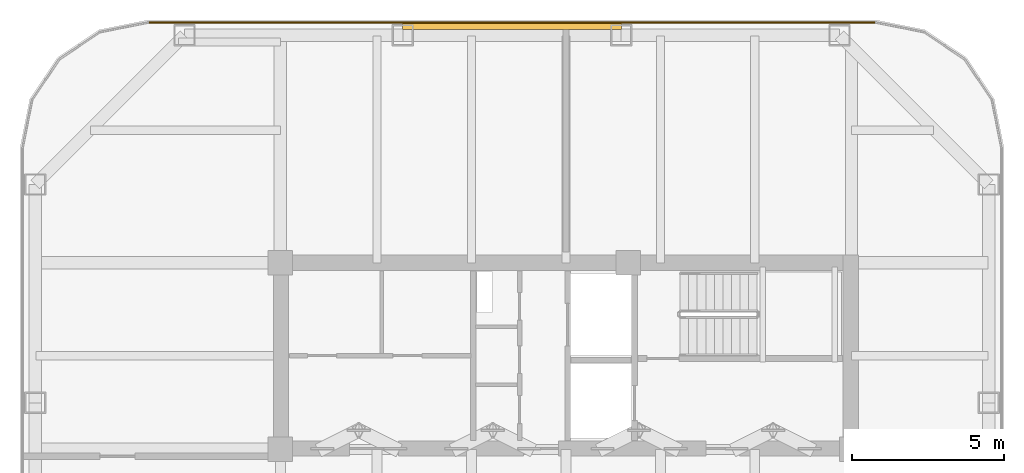
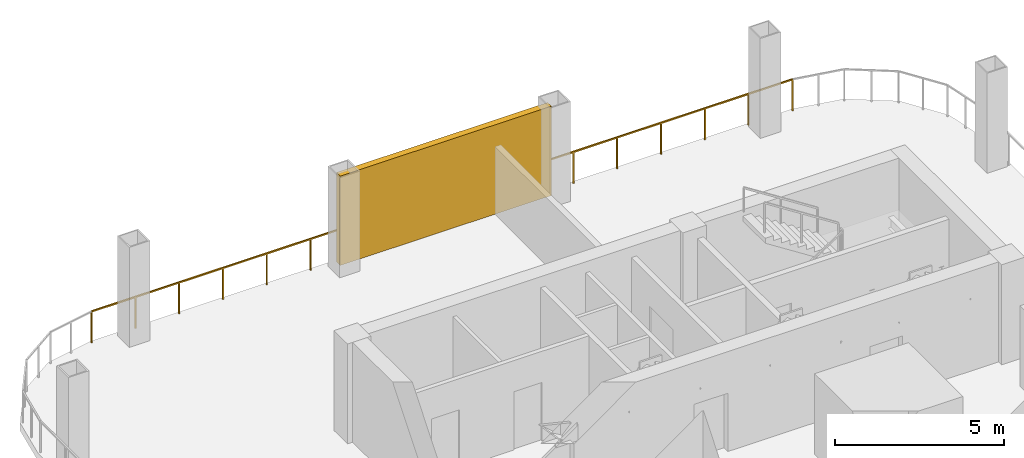
# One storey, part 8 of 9: 1 railing, 1 shading device.
"""IFC4 building model written with IfcOpenShell, lengths in metres."""

from ifc_helpers import new_model, si_unit, direction, frame, origin, origin_2d, place, context, subcontext, project, spatial, rectangle, extrude, material, type_object, element, save


model = new_model("IFC4")

# Units and contexts
model_context = context("Model", 3, precision=1e-05, world=origin(), true_north=direction((0.0, 1.0)))
body_context = subcontext(model_context, "Body", "Model", "MODEL_VIEW")
ifc_project = project(units=[si_unit("LENGTHUNIT", "METRE"), si_unit("AREAUNIT", "SQUARE_METRE"), si_unit("VOLUMEUNIT", "CUBIC_METRE"), si_unit("PLANEANGLEUNIT", "RADIAN"), si_unit("MASSUNIT", "GRAM", prefix="KILO")], contexts=[model_context])

# Site, building, storey
site_placement = place(None, origin())
site = spatial("IfcSite", under=ifc_project, at=site_placement, CompositionType="ELEMENT")
building_placement = place(site_placement, origin())
building = spatial("IfcBuilding", under=site, at=building_placement, Name="Qhalaya Broadcast Tower", CompositionType="ELEMENT")
storey_placement = place(building_placement, frame((0.0, 0.0, 191.550048828125)))
storey = spatial("IfcBuildingStorey", under=building, at=storey_placement, Name="L56", CompositionType="ELEMENT", Elevation=191.550048828125)

# Shading device
ifc_material_1 = material(Name="Fired Architectural Terracotta", Category="masonry")
shading_device_type = type_object("IfcShadingDeviceType", Name="Plant & Turbine-Slot Acoustic Louvre Screen LVS-01", PredefinedType="USERDEFINED", material=ifc_material_1)
shading_device_placement = place(storey_placement, frame((-1.77001953125, 17.719970703125, 0.0), z_axis=(0.0, 0.0, 1.0), x_axis=(1.0, 0.0, 0.0)))
element("IfcShadingDevice", 1, at=shading_device_placement, inside=storey, type_object=shading_device_type, Name="L56 Acoustic Wind Louvre Screen N", ObjectType="LOUVRE", PredefinedType="USERDEFINED", context=body_context, shape_type="SweptSolid", body=[
    extrude(rectangle(XDim=7.199951171875, YDim=0.219970703125, at=origin_2d()), origin(), (0.0, 0.0, 1.0), 3.219970703125),
])

# Railing
ifc_material_2 = material(Name="Powder-Coated Galvanised Steel", Category="steel")
railing_type = type_object("IfcRailingType", Name="Terrace, Sky-Pool & Lookout Glass Balustrade 1150", PredefinedType="BALUSTRADE", material=ifc_material_2)
railing_placement = place(storey_placement, frame((-13.712158203125, 17.840087890625, 0.0)))
element("IfcRailing", 2, at=railing_placement, inside=storey, type_object=railing_type, Name="L56 Wind Slot Edge Guard 11", PredefinedType="BALUSTRADE", context=body_context, shape_type="SweptSolid", body=[
    extrude(rectangle(XDim=0.048095703125, YDim=0.048095703125, at=origin_2d()), frame((0.0, 0.0, 1.1259765625), z_axis=(1.0, 0.0, 0.0), x_axis=(0.0, 1.0, 0.0)), (0.0, 0.0, 1.0), 23.88427734375),
    extrude(rectangle(XDim=0.0419921875, YDim=0.0419921875, at=origin_2d()), origin(), (0.0, 0.0, 1.0), 1.099853515625),
    extrude(rectangle(XDim=0.0419921875, YDim=0.0419921875, at=origin_2d()), frame((1.49267578125, 0.0, 0.0)), (0.0, 0.0, 1.0), 1.099853515625),
    extrude(rectangle(XDim=0.0419921875, YDim=0.0419921875, at=origin_2d()), frame((2.985595703125, 0.0, 0.0)), (0.0, 0.0, 1.0), 1.099853515625),
    extrude(rectangle(XDim=0.0419921875, YDim=0.0419921875, at=origin_2d()), frame((4.478271484375, 0.0, 0.0)), (0.0, 0.0, 1.0), 1.099853515625),
    extrude(rectangle(XDim=0.0419921875, YDim=0.0419921875, at=origin_2d()), frame((5.97119140625, 0.0, 0.0)), (0.0, 0.0, 1.0), 1.099853515625),
    extrude(rectangle(XDim=0.0419921875, YDim=0.0419921875, at=origin_2d()), frame((7.4638671875, 0.0, 0.0)), (0.0, 0.0, 1.0), 1.099853515625),
    extrude(rectangle(XDim=0.0419921875, YDim=0.0419921875, at=origin_2d()), frame((8.95654296875, 0.0, 0.0)), (0.0, 0.0, 1.0), 1.099853515625),
    extrude(rectangle(XDim=0.0419921875, YDim=0.0419921875, at=origin_2d()), frame((10.449462890625, 0.0, 0.0)), (0.0, 0.0, 1.0), 1.099853515625),
    extrude(rectangle(XDim=0.0419921875, YDim=0.0419921875, at=origin_2d()), frame((11.942138671875, 0.0, 0.0)), (0.0, 0.0, 1.0), 1.099853515625),
    extrude(rectangle(XDim=0.0419921875, YDim=0.0419921875, at=origin_2d()), frame((13.434814453125, 0.0, 0.0)), (0.0, 0.0, 1.0), 1.099853515625),
    extrude(rectangle(XDim=0.0419921875, YDim=0.0419921875, at=origin_2d()), frame((14.927734375, 0.0, 0.0)), (0.0, 0.0, 1.0), 1.099853515625),
    extrude(rectangle(XDim=0.0419921875, YDim=0.0419921875, at=origin_2d()), frame((16.42041015625, 0.0, 0.0)), (0.0, 0.0, 1.0), 1.099853515625),
    extrude(rectangle(XDim=0.0419921875, YDim=0.0419921875, at=origin_2d()), frame((17.9130859375, 0.0, 0.0)), (0.0, 0.0, 1.0), 1.099853515625),
    extrude(rectangle(XDim=0.0419921875, YDim=0.0419921875, at=origin_2d()), frame((19.406005859375, 0.0, 0.0)), (0.0, 0.0, 1.0), 1.099853515625),
    extrude(rectangle(XDim=0.0419921875, YDim=0.0419921875, at=origin_2d()), frame((20.898681640625, 0.0, 0.0)), (0.0, 0.0, 1.0), 1.099853515625),
    extrude(rectangle(XDim=0.0419921875, YDim=0.0419921875, at=origin_2d()), frame((22.3916015625, 0.0, 0.0)), (0.0, 0.0, 1.0), 1.099853515625),
    extrude(rectangle(XDim=0.0419921875, YDim=0.0419921875, at=origin_2d()), frame((23.88427734375, 0.0, 0.0)), (0.0, 0.0, 1.0), 1.099853515625),
])

save(model, "model.ifc")
